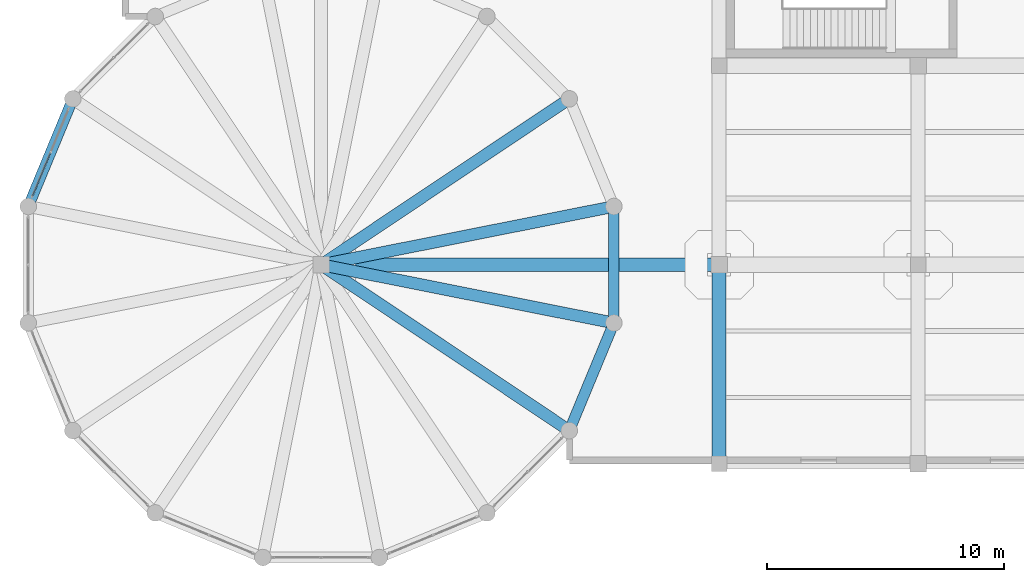
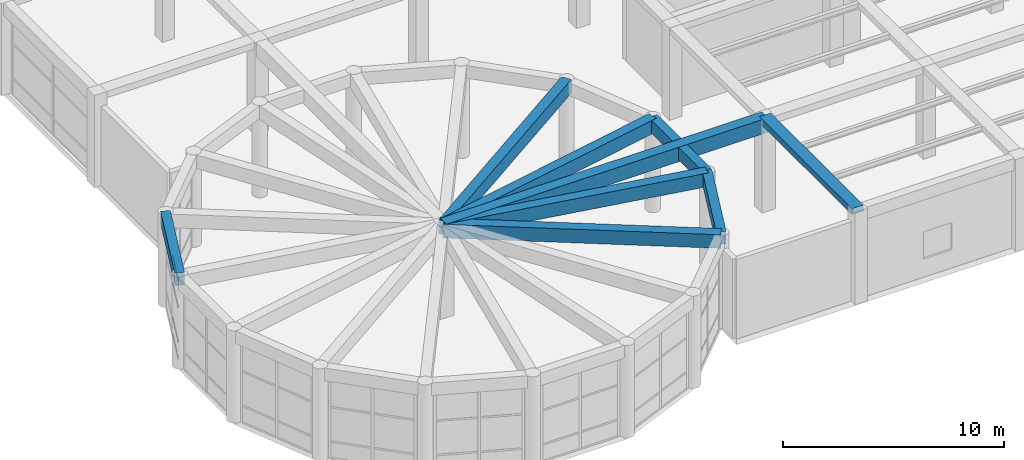
# One storey, part 12 of 95: 9 beams, 4 members, 1 element without a shape of its own.
"""IFC4 building model written with IfcOpenShell, lengths in metres."""

from ifc_helpers import new_model, si_unit, direction, frame, origin, origin_2d, place, context, subcontext, project, spatial, rectangle, hollow_rectangle, extrude, material, material_profile, profile_set, type_object, element, aggregate, save


model = new_model("IFC4")

# Units and contexts
model_context = context("Model", 3, precision=1e-05, world=origin(), true_north=direction((0.0, 1.0)))
body_context = subcontext(model_context, "Body", "Model", "MODEL_VIEW")
ifc_project = project(units=[si_unit("LENGTHUNIT", "METRE"), si_unit("AREAUNIT", "SQUARE_METRE"), si_unit("VOLUMEUNIT", "CUBIC_METRE"), si_unit("PLANEANGLEUNIT", "RADIAN"), si_unit("MASSUNIT", "GRAM", prefix="KILO")], contexts=[model_context])

# Site, building, storey
site_placement = place(None, origin())
site = spatial("IfcSite", under=ifc_project, at=site_placement, CompositionType="ELEMENT")
building_placement = place(site_placement, origin())
building = spatial("IfcBuilding", under=site, at=building_placement, Name="Almacenes y Pasaje Nevantli", CompositionType="ELEMENT")
storey_placement = place(building_placement, frame((0.0, 0.0, 11.39990234375)))
storey = spatial("IfcBuildingStorey", under=building, at=storey_placement, Name="L03", CompositionType="ELEMENT", Elevation=11.39990234375)

# Beams
ifc_material_1 = material(Name="Concrete C35/45", Category="concrete")
ifc_material_profile_1 = material_profile(ifc_material_1, rectangle(XDim=0.449951171875, YDim=0.699951171875, at=origin_2d()), Name="RC-BM-450x700")
ifc_profile_set_1 = profile_set([ifc_material_profile_1], Name="Concrete C35/45")
beam_type_1 = type_object("IfcBeamType", Name="BM-RC-450x700", PredefinedType="SPANDREL", material=ifc_profile_set_1)
for number, where, z_axis, x_axis, name in (
    (1, (-2.076416015625, 15.400146484375, 4.75), (-0.38272458482, -0.923862485532, 0.0), (0.923862485532, -0.38272458482, 0.0), "L03 Rotunda Ring Spandrel Beam #7"),
    (2, (18.87646484375, 1.39990234375, 4.75), (0.382682198272, 0.923880043688, 0.0), (-0.923880043688, 0.382682198272, 0.0), "L03 Rotunda Ring Spandrel Beam #15"),
    (3, (20.7578125, 5.94189453125, 4.75), (0.0, 1.0, 0.0), (-1.0, 0.0, 0.0), "L03 Rotunda Ring Spandrel Beam #16"),
):
    element("IfcBeam", number, at=place(storey_placement, frame(where, z_axis=z_axis, x_axis=x_axis)), inside=storey, type_object=beam_type_1, Name=name, PredefinedType="SPANDREL", context=body_context, shape_type="SweptSolid", body=[
        extrude(rectangle(XDim=0.449951171875, YDim=0.699951171875, at=origin_2d()), origin(), (0.0, 0.0, 1.0), 4.916259765625),
    ])
ifc_material_2 = material(Name="Concrete C35/45", Category="concrete")
ifc_material_profile_2 = material_profile(ifc_material_2, rectangle(XDim=0.5, YDim=0.75, at=origin_2d()), Name="RC-BM-500x750")
ifc_profile_set_2 = profile_set([ifc_material_profile_2], Name="Concrete C35/45")
beam_type_2 = type_object("IfcBeamType", Name="BM-RC-500x750", PredefinedType="BEAM", material=ifc_profile_set_2)
for number, where, z_axis, x_axis, name in (
    (4, (8.39990234375, 8.39990234375, 4.72509765625), (0.980783597961, 0.195098780036, 0.0), (-0.195098780036, 0.980783597961, 0.0), "L03 Rotunda Radial Girder #1"),
    (5, (8.39990234375, 8.39990234375, 4.72509765625), (0.831468553537, 0.55557181757, 0.0), (-0.55557181757, 0.831468553537, 0.0), "L03 Rotunda Radial Girder #2"),
):
    element("IfcBeam", number, at=place(storey_placement, frame(where, z_axis=z_axis, x_axis=x_axis)), inside=storey, type_object=beam_type_2, Name=name, PredefinedType="BEAM", context=body_context, shape_type="SweptSolid", body=[
        extrude(rectangle(XDim=0.5, YDim=0.75, at=origin_2d()), origin(), (0.0, 0.0, 1.0), 12.60009765625),
    ])
beam_1_placement = place(storey_placement, frame((8.39990234375, 8.39990234375, 4.72509765625), z_axis=(0.831477504146, -0.55555842186, 0.0), x_axis=(0.55555842186, 0.831477504146, 0.0)))
element("IfcBeam", 6, at=beam_1_placement, inside=storey, type_object=beam_type_2, Name="L03 Rotunda Radial Girder #15", PredefinedType="BEAM", context=body_context, shape_type="SweptSolid", body=[
    extrude(rectangle(XDim=0.5, YDim=0.75, at=origin_2d()), origin(), (0.0, 0.0, 1.0), 12.599853515625),
])
beam_2_placement = place(storey_placement, frame((8.39990234375, 8.39990234375, 4.72509765625), z_axis=(0.980787305424, -0.195080141274, 0.0), x_axis=(0.195080141274, 0.980787305424, 0.0)))
element("IfcBeam", 7, at=beam_2_placement, inside=storey, type_object=beam_type_2, Name="L03 Rotunda Radial Girder #16", PredefinedType="BEAM", context=body_context, shape_type="SweptSolid", body=[
    extrude(rectangle(XDim=0.5, YDim=0.75, at=origin_2d()), origin(), (0.0, 0.0, 1.0), 12.60009765625),
])
ifc_material_3 = material(Name="Concrete C35/45", Category="concrete")
ifc_material_profile_3 = material_profile(ifc_material_3, rectangle(XDim=0.550048828125, YDim=0.800048828125, at=origin_2d()), Name="RC-BM-550x800")
ifc_profile_set_3 = profile_set([ifc_material_profile_3], Name="Concrete C35/45")
beam_type_3 = type_object("IfcBeamType", Name="BM-RC-550x800", PredefinedType="BEAM", material=ifc_profile_set_3)
beam_3_placement = place(storey_placement, frame((8.39990234375, 8.39990234375, 4.7001953125), z_axis=(1.0, 0.0, 0.0), x_axis=(0.0, 1.0, 0.0)))
element("IfcBeam", 8, at=beam_3_placement, inside=storey, type_object=beam_type_3, Name="L03 Rotunda-to-Grid Collector Girder #2748", PredefinedType="BEAM", context=body_context, shape_type="SweptSolid", body=[
    extrude(rectangle(XDim=0.550048828125, YDim=0.800048828125, at=origin_2d()), origin(), (0.0, 0.0, 1.0), 16.800048828125),
])
ifc_material_4 = material(Name="Concrete C35/45", Category="concrete")
ifc_material_profile_4 = material_profile(ifc_material_4, rectangle(XDim=0.60009765625, YDim=0.320068359375, at=origin_2d()), Name="RC-BM-600x320")
ifc_profile_set_4 = profile_set([ifc_material_profile_4], Name="Concrete C35/45")
beam_type_4 = type_object("IfcBeamType", Name="BM-RC-600x320", PredefinedType="BEAM", material=ifc_profile_set_4)
beam_4_placement = place(storey_placement, frame((25.199951171875, 0.0, 4.940185546875), z_axis=(0.0, 1.0, 0.0), x_axis=(-1.0, 0.0, 0.0)))
element("IfcBeam", 9, at=beam_4_placement, inside=storey, type_object=beam_type_4, Name="L03 North-South Reinforced Concrete Beam #2511", PredefinedType="BEAM", context=body_context, shape_type="SweptSolid", body=[
    extrude(rectangle(XDim=0.60009765625, YDim=0.320068359375, at=origin_2d()), origin(), (0.0, 0.0, 1.0), 8.39990234375),
])

# Curtain wall, members
ifc_material_5 = material(Name="Thermally Broken Aluminium and Low-E Glass", Category="aluminium")
curtain_wall_type = type_object("IfcCurtainWallType", Name="CW-UNIT-ROTUNDA", PredefinedType="USERDEFINED", material=ifc_material_5)
curtain_wall_placement = place(storey_placement, origin())
curtain_wall = element("IfcCurtainWall", 10, at=curtain_wall_placement, inside=storey, type_object=curtain_wall_type, Name="L03 Corner Rotunda Faceted Curtain Wall Facet #7", ObjectType="UNITIZED CURTAIN WALL", PredefinedType="USERDEFINED")
ifc_material_6 = material(Name="Thermally Broken Anodized Aluminium", Category="aluminium")
ifc_material_profile_5 = material_profile(ifc_material_6, hollow_rectangle(XDim=0.050048828125, YDim=0.090087890625, WallThickness=0.0029296875, at=origin_2d()), Name="ALU-TRN-50x90")
ifc_profile_set_5 = profile_set([ifc_material_profile_5], Name="Thermally Broken Anodized Aluminium")
member_type = type_object("IfcMemberType", Name="CW-TRN-100", PredefinedType="USERDEFINED", material=ifc_profile_set_5)
member_1_placement = place(storey_placement, frame((-3.02685546875, 13.106201171875, 0.025146484375), z_axis=(-0.382662992588, -0.923887998679, 0.0), x_axis=(0.923887998679, -0.382662992588, 0.0)))
member_1 = element("IfcMember", 11, at=member_1_placement, type_object=member_type, Name="CW-L03-059 transom 2.1", ObjectType="TRANSOM", PredefinedType="USERDEFINED", context=body_context, shape_type="SweptSolid", body=[
    extrude(hollow_rectangle(XDim=0.050048828125, YDim=0.090087890625, WallThickness=0.0029296875, at=origin_2d()), origin(), (0.0, 0.0, 1.0), 1.963134765625),
])
member_2_placement = place(storey_placement, frame((-3.02685546875, 13.106201171875, 0.9501953125), z_axis=(-0.382662992588, -0.923887998679, 0.0), x_axis=(0.923887998679, -0.382662992588, 0.0)))
member_2 = element("IfcMember", 12, at=member_2_placement, type_object=member_type, Name="CW-L03-059 transom 2.2", ObjectType="TRANSOM", PredefinedType="USERDEFINED", context=body_context, shape_type="SweptSolid", body=[
    extrude(hollow_rectangle(XDim=0.050048828125, YDim=0.090087890625, WallThickness=0.0029296875, at=origin_2d()), origin(), (0.0, 0.0, 1.0), 1.963134765625),
])
member_3_placement = place(storey_placement, frame((-3.02685546875, 13.106201171875, 2.85009765625), z_axis=(-0.382662992588, -0.923887998679, 0.0), x_axis=(0.923887998679, -0.382662992588, 0.0)))
member_3 = element("IfcMember", 13, at=member_3_placement, type_object=member_type, Name="CW-L03-059 transom 2.3", ObjectType="TRANSOM", PredefinedType="USERDEFINED", context=body_context, shape_type="SweptSolid", body=[
    extrude(hollow_rectangle(XDim=0.050048828125, YDim=0.090087890625, WallThickness=0.0029296875, at=origin_2d()), origin(), (0.0, 0.0, 1.0), 1.963134765625),
])
member_4_placement = place(storey_placement, frame((-3.02685546875, 13.106201171875, 4.35498046875), z_axis=(-0.382662992588, -0.923887998679, 0.0), x_axis=(0.923887998679, -0.382662992588, 0.0)))
member_4 = element("IfcMember", 14, at=member_4_placement, type_object=member_type, Name="CW-L03-059 transom 2.4", ObjectType="TRANSOM", PredefinedType="USERDEFINED", context=body_context, shape_type="SweptSolid", body=[
    extrude(hollow_rectangle(XDim=0.050048828125, YDim=0.090087890625, WallThickness=0.0029296875, at=origin_2d()), origin(), (0.0, 0.0, 1.0), 1.963134765625),
])
aggregate(curtain_wall, [member_1, member_2, member_3, member_4])

save(model, "model.ifc")
